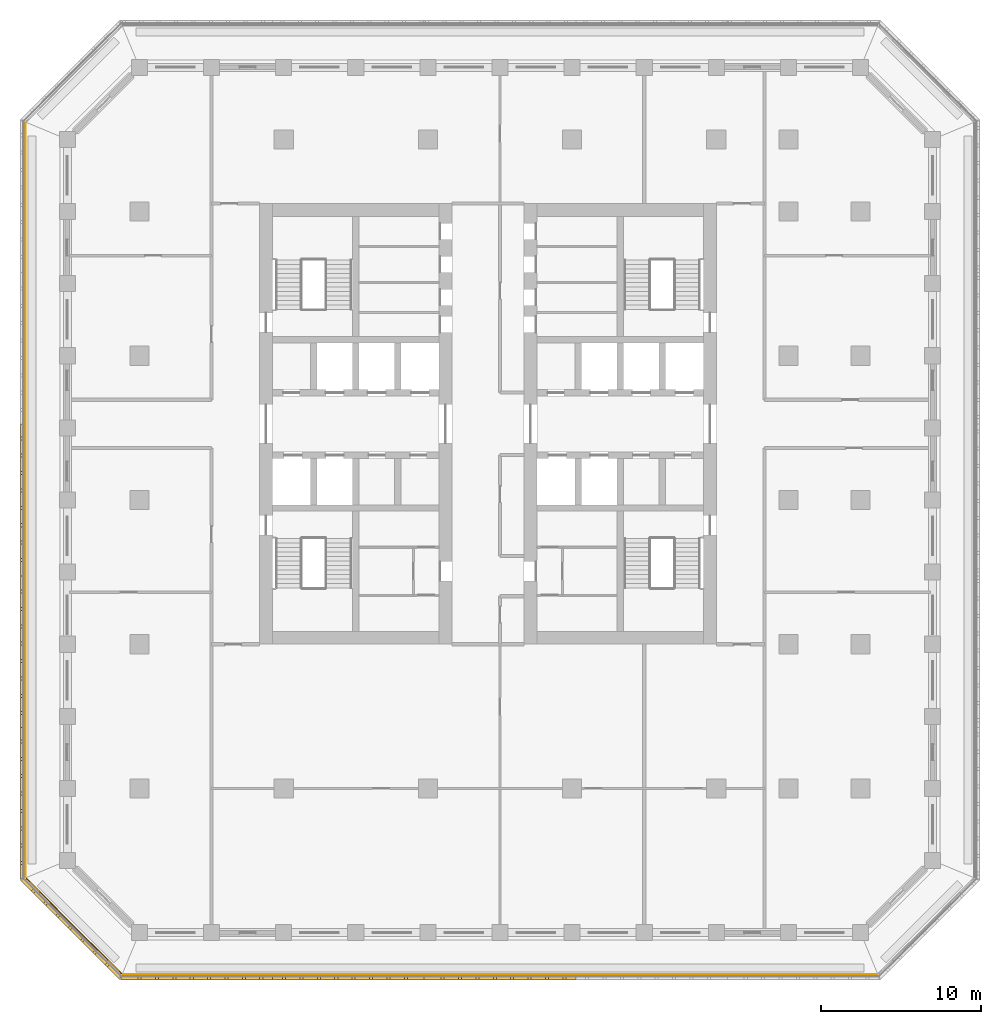
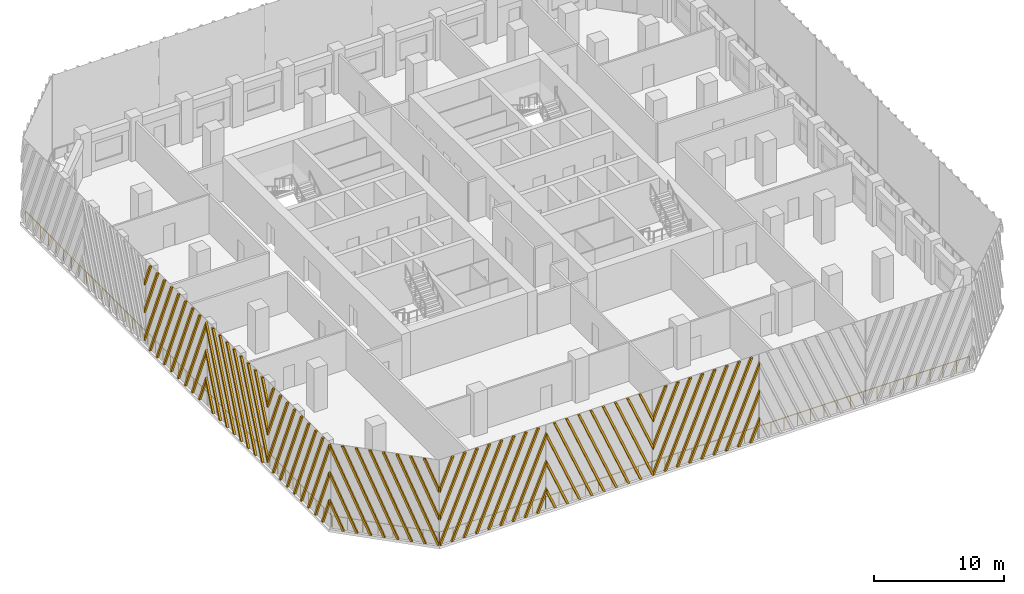
# One storey, part 9 of 16: 7 shading devices, 3 railings.
"""IFC4 building model written with IfcOpenShell, lengths in metres."""

import ifcopenshell
import ifcopenshell.guid

model = None  # the IFC model being written
_history = None  # IfcOwnerHistory: only IFC2X3 demands one
_inside = {}  # id of a spatial element -> (the spatial element, [elements in it])
_under = {}  # id of a project, library or spatial element -> (it, [spatial elements below it])
_declared = {}  # id of a project -> (the project, [libraries it declares])
_typed = {}  # id of a type object -> (the type object, [elements of that type])
_made_of = {}  # id of a material, layer set ... -> (it, [elements and type objects made of it])


def new_model(schema):
    """Start an empty IFC model of exactly this schema.

    Asked for "IFC4X3", IfcOpenShell would pick the latest addendum, in which some entities
    have other attributes; the version numbers below select the first issue.
    IFC2X3 requires an IfcOwnerHistory on every rooted entity: one is made here for all.
    """
    global model, _history
    if schema == "IFC4X3":
        model = ifcopenshell.file(schema_version=(4, 3, 0, 0))
    else:
        model = ifcopenshell.file(schema=schema)
    _inside.clear()
    _under.clear()
    _declared.clear()
    _typed.clear()
    _made_of.clear()
    _history = None
    if model.schema == "IFC2X3":
        org = make("IfcOrganization", Name="unknown")
        user = make(
            "IfcPersonAndOrganization",
            ThePerson=make("IfcPerson", FamilyName="unknown"),
            TheOrganization=org,
        )
        app = make(
            "IfcApplication",
            ApplicationDeveloper=org,
            Version="unknown",
            ApplicationFullName="unknown",
            ApplicationIdentifier="unknown",
        )
        _history = make(
            "IfcOwnerHistory",
            OwningUser=user,
            OwningApplication=app,
            ChangeAction="ADDED",
            CreationDate=0,
        )
    return model


def make(cls, **values):
    """One entity of the class cls with the attributes given. An attribute that is None is left unset."""
    return model.create_entity(
        cls, **{name: value for name, value in values.items() if value is not None}
    )


def rooted(cls, **values):
    """An entity with a GlobalId (a new one), such as an element, a storey or a relation."""
    return make(cls, GlobalId=ifcopenshell.guid.new(), OwnerHistory=_history, **values)


def si_unit(unit_type, name, prefix=None):
    """IfcSIUnit, for example si_unit("LENGTHUNIT", "METRE", prefix="MILLI")."""
    return make("IfcSIUnit", UnitType=unit_type, Prefix=prefix, Name=name)


def assignment(units):
    """IfcUnitAssignment: the units of a project."""
    return None if units is None else make("IfcUnitAssignment", Units=units)


def point(xyz):
    """IfcCartesianPoint."""
    return None if xyz is None else make("IfcCartesianPoint", Coordinates=xyz)


def direction(xyz):
    """IfcDirection."""
    return None if xyz is None else make("IfcDirection", DirectionRatios=xyz)


def frame(location, z_axis=None, x_axis=None):
    """IfcAxis2Placement3D, a coordinate frame: its origin and axes. An axis left out is left unset."""
    return make(
        "IfcAxis2Placement3D",
        Location=point(location),
        Axis=direction(z_axis),
        RefDirection=direction(x_axis),
    )


def frame_2d(location, x_axis=None):
    """IfcAxis2Placement2D, a coordinate frame in the plane: its origin and x axis."""
    return make(
        "IfcAxis2Placement2D", Location=point(location), RefDirection=direction(x_axis)
    )


def origin():
    """The frame at (0, 0, 0) with its axes left unset."""
    return frame((0.0, 0.0, 0.0))


def origin_2d():
    """The frame at (0, 0) in the plane with its x axis left unset."""
    return frame_2d((0.0, 0.0))


def place(relative_to, where):
    """IfcLocalPlacement: puts the frame where relative to a parent placement (None: the world)."""
    return make(
        "IfcLocalPlacement", PlacementRelTo=relative_to, RelativePlacement=where
    )


def context(
    kind, dimensions, precision=None, world=None, true_north=None, identifier=None
):
    """IfcGeometricRepresentationContext, for example the 3D "Model" context."""
    return make(
        "IfcGeometricRepresentationContext",
        ContextIdentifier=identifier,
        ContextType=kind,
        CoordinateSpaceDimension=dimensions,
        Precision=precision,
        WorldCoordinateSystem=world,
        TrueNorth=true_north,
    )


def subcontext(parent, identifier, kind, view, scale=None):
    """IfcGeometricRepresentationSubContext, for example "Body" below "Model"."""
    return make(
        "IfcGeometricRepresentationSubContext",
        ContextIdentifier=identifier,
        ContextType=kind,
        ParentContext=parent,
        TargetScale=scale,
        TargetView=view,
    )


def project(units=None, contexts=None):
    """IfcProject with its units and contexts."""
    return rooted(
        "IfcProject",
        Name="project",
        RepresentationContexts=contexts,
        UnitsInContext=assignment(units),
    )


def spatial(cls, under=None, at=None, **own):
    """A site, building, storey or space (cls), placed at a placement, below another one or the project."""
    s = rooted(cls, ObjectPlacement=at, **own)
    if under is not None:
        _under.setdefault(under.id(), (under, []))[1].append(s)
    return s


def polyline(points):
    """IfcPolyline through the points."""
    return make("IfcPolyline", Points=[point(p) for p in points])


def profile(cls, at=None, kind="AREA", **sizes):
    """A parametric profile (cls). Its sizes go by their IFC names, for example OverallWidth=200.0."""
    return make(cls, ProfileType=kind, Position=at, **sizes)


def circle(**sizes):
    """IfcCircleProfileDef."""
    return profile("IfcCircleProfileDef", **sizes)


def outline(outer, holes=None, kind="AREA"):
    """IfcArbitraryClosedProfileDef: a profile drawn as a closed curve; with holes, ...WithVoids."""
    if holes is None:
        return make("IfcArbitraryClosedProfileDef", ProfileType=kind, OuterCurve=outer)
    return make(
        "IfcArbitraryProfileDefWithVoids",
        ProfileType=kind,
        OuterCurve=outer,
        InnerCurves=holes,
    )


def extrude(swept, where, along, depth):
    """IfcExtrudedAreaSolid: the profile swept, set in the frame where, extruded along a direction by depth."""
    return make(
        "IfcExtrudedAreaSolid",
        SweptArea=swept,
        Position=where,
        ExtrudedDirection=direction(along),
        Depth=depth,
    )


def shape(context_of_items, identifier, shape_type, items):
    """IfcShapeRepresentation: the items that make up one representation, for example the "Body"."""
    return make(
        "IfcShapeRepresentation",
        ContextOfItems=context_of_items,
        RepresentationIdentifier=identifier,
        RepresentationType=shape_type,
        Items=items,
    )


def source(mapping_origin, context_of_items, identifier, shape_type, items):
    """IfcRepresentationMap: a shape defined once, which mapped items show again and again."""
    return make(
        "IfcRepresentationMap",
        MappingOrigin=mapping_origin,
        MappedRepresentation=shape(context_of_items, identifier, shape_type, items),
    )


def transform(
    local_origin,
    x_axis=None,
    y_axis=None,
    z_axis=None,
    scale=None,
    scale2=None,
    scale3=None,
    uniform=True,
):
    """IfcCartesianTransformationOperator3D, or its non-uniform kind. x_axis, y_axis, z_axis: its Axis1, 2, 3."""
    if uniform:
        return make(
            "IfcCartesianTransformationOperator3D",
            Axis1=direction(x_axis),
            Axis2=direction(y_axis),
            LocalOrigin=point(local_origin),
            Scale=scale,
            Axis3=direction(z_axis),
        )
    return make(
        "IfcCartesianTransformationOperator3DnonUniform",
        Axis1=direction(x_axis),
        Axis2=direction(y_axis),
        LocalOrigin=point(local_origin),
        Scale=scale,
        Axis3=direction(z_axis),
        Scale2=scale2,
        Scale3=scale3,
    )


def mapped(mapping_source, mapping_target):
    """IfcMappedItem: shows the shape of a source again, moved by a transform."""
    return make(
        "IfcMappedItem", MappingSource=mapping_source, MappingTarget=mapping_target
    )


def material(Name=None, Category=None):
    """IfcMaterial."""
    return make("IfcMaterial", Name=Name, Category=Category)


def made_of(thing, what):
    """Note that an element or type object is made of a material, layer set ...; save() writes the relation."""
    if what is not None:
        _made_of.setdefault(what.id(), (what, []))[1].append(thing)
    return thing


def type_object(cls, material=None, **own):
    """A type object (cls), such as IfcWallType, which elements share."""
    return made_of(rooted(cls, **own), material)


def element(
    cls,
    number,
    at=None,
    inside=None,
    cuts=None,
    type_object=None,
    material=None,
    context=None,
    identifier="Body",
    shape_type=None,
    held_by="IfcProductDefinitionShape",
    body=None,
    shapes=None,
    **own,
):
    """One element of the class cls, such as IfcWall. Its Tag is "e" and its number.

    at: its placement. inside: the storey or other place that contains it. cuts: it is an
    opening in that element (IfcRelVoidsElement). A single representation is given by context,
    identifier, shape_type and body (its items); several are given by shapes. held_by: the class
    of the entity that holds the representations. save() writes the other relations.
    """
    e = rooted(cls, Tag="e%d" % number, ObjectPlacement=at, **own)
    if body is not None:
        shapes = [shape(context, identifier, shape_type, body)]
    if shapes is not None:
        e.Representation = make(held_by, Representations=shapes)
    if inside is not None:
        _inside.setdefault(inside.id(), (inside, []))[1].append(e)
    if cuts is not None:
        rooted(
            "IfcRelVoidsElement", RelatingBuildingElement=cuts, RelatedOpeningElement=e
        )
    if type_object is not None:
        _typed.setdefault(type_object.id(), (type_object, []))[1].append(e)
    return made_of(e, material)


def aggregate(whole, parts):
    """IfcRelAggregates: a whole, such as a stair, and the parts it consists of."""
    return rooted("IfcRelAggregates", RelatingObject=whole, RelatedObjects=parts)


def save(model, path):
    """Write the relations noted so far, then the file.

    IfcRelAggregates (storeys below a building ...), IfcRelContainedInSpatialStructure (elements
    in a storey), IfcRelDefinesByType, IfcRelAssociatesMaterial and IfcRelDeclares: one each for
    every whole, place, type object, material and project.
    """
    for whole, parts in _under.values():
        aggregate(whole, parts)
    for where, things in _inside.values():
        rooted(
            "IfcRelContainedInSpatialStructure",
            RelatedElements=things,
            RelatingStructure=where,
        )
    for kind, things in _typed.values():
        rooted("IfcRelDefinesByType", RelatedObjects=things, RelatingType=kind)
    for what, things in _made_of.values():
        rooted("IfcRelAssociatesMaterial", RelatedObjects=things, RelatingMaterial=what)
    for by, libraries in _declared.values():
        rooted("IfcRelDeclares", RelatingContext=by, RelatedDefinitions=libraries)
    model.write(path)


model = new_model("IFC4")

# Units and contexts
model_context = context("Model", 3, precision=1e-05, world=origin(), true_north=direction((0.0, 1.0)))
body_context = subcontext(model_context, "Body", "Model", "MODEL_VIEW")
ifc_project = project(units=[si_unit("LENGTHUNIT", "METRE"), si_unit("AREAUNIT", "SQUARE_METRE"), si_unit("VOLUMEUNIT", "CUBIC_METRE"), si_unit("PLANEANGLEUNIT", "RADIAN"), si_unit("MASSUNIT", "GRAM", prefix="KILO")], contexts=[model_context])

# Site, building, storey
site_placement = place(None, origin())
site = spatial("IfcSite", under=ifc_project, at=site_placement, CompositionType="ELEMENT")
building_placement = place(site_placement, origin())
building = spatial("IfcBuilding", under=site, at=building_placement, Name="Corbel Stack Research Tower", CompositionType="ELEMENT")
storey_placement = place(building_placement, frame((0.0, 0.0, 199.699951171875)))
storey = spatial("IfcBuildingStorey", under=building, at=storey_placement, Name="L45", CompositionType="ELEMENT", Elevation=199.699951171875)

# Railings
ifc_material_1 = material(Name="Powder-coated steel guard", Category="steel")
railing_type = type_object("IfcRailingType", Name="Steel and glass guard 1100", PredefinedType="GUARDRAIL", material=ifc_material_1)
railing_1_placement = place(storey_placement, frame((-19.00537109375, -29.60009765625, 0.0)))
element("IfcRailing", 1, at=railing_1_placement, inside=storey, type_object=railing_type, Name="Loggia guard L45 S", PredefinedType="GUARDRAIL", context=body_context, shape_type="SweptSolid", body=[
    extrude(circle(Radius=0.02392578125, at=origin_2d()), frame((0.0, 0.0, 1.076171875), z_axis=(1.0, 0.0, 0.0), x_axis=(0.0, 1.0, 0.0)), (0.0, 0.0, 1.0), 47.0107421875),
    extrude(circle(Radius=0.02099609375, at=origin_2d()), origin(), (0.0, 0.0, 1.0), 1.052001953125),
    extrude(circle(Radius=0.02099609375, at=origin_2d()), frame((1.17529296875, 0.0, 0.0)), (0.0, 0.0, 1.0), 1.052001953125),
    extrude(circle(Radius=0.02099609375, at=origin_2d()), frame((2.3505859375, 0.0, 0.0)), (0.0, 0.0, 1.0), 1.052001953125),
    extrude(circle(Radius=0.02099609375, at=origin_2d()), frame((3.52587890625, 0.0, 0.0)), (0.0, 0.0, 1.0), 1.052001953125),
    extrude(circle(Radius=0.02099609375, at=origin_2d()), frame((4.701171875, 0.0, 0.0)), (0.0, 0.0, 1.0), 1.052001953125),
    extrude(circle(Radius=0.02099609375, at=origin_2d()), frame((5.87646484375, 0.0, 0.0)), (0.0, 0.0, 1.0), 1.052001953125),
    extrude(circle(Radius=0.02099609375, at=origin_2d()), frame((7.051513671875, 0.0, 0.0)), (0.0, 0.0, 1.0), 1.052001953125),
    extrude(circle(Radius=0.02099609375, at=origin_2d()), frame((8.226806640625, 0.0, 0.0)), (0.0, 0.0, 1.0), 1.052001953125),
    extrude(circle(Radius=0.02099609375, at=origin_2d()), frame((9.402099609375, 0.0, 0.0)), (0.0, 0.0, 1.0), 1.052001953125),
    extrude(circle(Radius=0.02099609375, at=origin_2d()), frame((10.577392578125, 0.0, 0.0)), (0.0, 0.0, 1.0), 1.052001953125),
    extrude(circle(Radius=0.02099609375, at=origin_2d()), frame((11.752685546875, 0.0, 0.0)), (0.0, 0.0, 1.0), 1.052001953125),
    extrude(circle(Radius=0.02099609375, at=origin_2d()), frame((12.927978515625, 0.0, 0.0)), (0.0, 0.0, 1.0), 1.052001953125),
    extrude(circle(Radius=0.02099609375, at=origin_2d()), frame((14.103271484375, 0.0, 0.0)), (0.0, 0.0, 1.0), 1.052001953125),
    extrude(circle(Radius=0.02099609375, at=origin_2d()), frame((15.278564453125, 0.0, 0.0)), (0.0, 0.0, 1.0), 1.052001953125),
    extrude(circle(Radius=0.02099609375, at=origin_2d()), frame((16.453857421875, 0.0, 0.0)), (0.0, 0.0, 1.0), 1.052001953125),
    extrude(circle(Radius=0.02099609375, at=origin_2d()), frame((17.62890625, 0.0, 0.0)), (0.0, 0.0, 1.0), 1.052001953125),
    extrude(circle(Radius=0.02099609375, at=origin_2d()), frame((18.80419921875, 0.0, 0.0)), (0.0, 0.0, 1.0), 1.052001953125),
    extrude(circle(Radius=0.02099609375, at=origin_2d()), frame((19.9794921875, 0.0, 0.0)), (0.0, 0.0, 1.0), 1.052001953125),
    extrude(circle(Radius=0.02099609375, at=origin_2d()), frame((21.15478515625, 0.0, 0.0)), (0.0, 0.0, 1.0), 1.052001953125),
    extrude(circle(Radius=0.02099609375, at=origin_2d()), frame((22.330078125, 0.0, 0.0)), (0.0, 0.0, 1.0), 1.052001953125),
    extrude(circle(Radius=0.02099609375, at=origin_2d()), frame((23.50537109375, 0.0, 0.0)), (0.0, 0.0, 1.0), 1.052001953125),
    extrude(circle(Radius=0.02099609375, at=origin_2d()), frame((24.6806640625, 0.0, 0.0)), (0.0, 0.0, 1.0), 1.052001953125),
    extrude(circle(Radius=0.02099609375, at=origin_2d()), frame((25.85595703125, 0.0, 0.0)), (0.0, 0.0, 1.0), 1.052001953125),
    extrude(circle(Radius=0.02099609375, at=origin_2d()), frame((27.03125, 0.0, 0.0)), (0.0, 0.0, 1.0), 1.052001953125),
    extrude(circle(Radius=0.02099609375, at=origin_2d()), frame((28.20654296875, 0.0, 0.0)), (0.0, 0.0, 1.0), 1.052001953125),
    extrude(circle(Radius=0.02099609375, at=origin_2d()), frame((29.3818359375, 0.0, 0.0)), (0.0, 0.0, 1.0), 1.052001953125),
    extrude(circle(Radius=0.02099609375, at=origin_2d()), frame((30.556884765625, 0.0, 0.0)), (0.0, 0.0, 1.0), 1.052001953125),
    extrude(circle(Radius=0.02099609375, at=origin_2d()), frame((31.732177734375, 0.0, 0.0)), (0.0, 0.0, 1.0), 1.052001953125),
    extrude(circle(Radius=0.02099609375, at=origin_2d()), frame((32.907470703125, 0.0, 0.0)), (0.0, 0.0, 1.0), 1.052001953125),
    extrude(circle(Radius=0.02099609375, at=origin_2d()), frame((34.082763671875, 0.0, 0.0)), (0.0, 0.0, 1.0), 1.052001953125),
    extrude(circle(Radius=0.02099609375, at=origin_2d()), frame((35.258056640625, 0.0, 0.0)), (0.0, 0.0, 1.0), 1.052001953125),
    extrude(circle(Radius=0.02099609375, at=origin_2d()), frame((36.433349609375, 0.0, 0.0)), (0.0, 0.0, 1.0), 1.052001953125),
    extrude(circle(Radius=0.02099609375, at=origin_2d()), frame((37.608642578125, 0.0, 0.0)), (0.0, 0.0, 1.0), 1.052001953125),
    extrude(circle(Radius=0.02099609375, at=origin_2d()), frame((38.783935546875, 0.0, 0.0)), (0.0, 0.0, 1.0), 1.052001953125),
    extrude(circle(Radius=0.02099609375, at=origin_2d()), frame((39.959228515625, 0.0, 0.0)), (0.0, 0.0, 1.0), 1.052001953125),
    extrude(circle(Radius=0.02099609375, at=origin_2d()), frame((41.13427734375, 0.0, 0.0)), (0.0, 0.0, 1.0), 1.052001953125),
    extrude(circle(Radius=0.02099609375, at=origin_2d()), frame((42.3095703125, 0.0, 0.0)), (0.0, 0.0, 1.0), 1.052001953125),
    extrude(circle(Radius=0.02099609375, at=origin_2d()), frame((43.48486328125, 0.0, 0.0)), (0.0, 0.0, 1.0), 1.052001953125),
    extrude(circle(Radius=0.02099609375, at=origin_2d()), frame((44.66015625, 0.0, 0.0)), (0.0, 0.0, 1.0), 1.052001953125),
    extrude(circle(Radius=0.02099609375, at=origin_2d()), frame((45.83544921875, 0.0, 0.0)), (0.0, 0.0, 1.0), 1.052001953125),
    extrude(circle(Radius=0.02099609375, at=origin_2d()), frame((47.0107421875, 0.0, 0.0)), (0.0, 0.0, 1.0), 1.052001953125),
])
railing_2_placement = place(storey_placement, frame((-25.10009765625, 23.50537109375, 0.0)))
element("IfcRailing", 2, at=railing_2_placement, inside=storey, type_object=railing_type, Name="Loggia guard L45 W", PredefinedType="GUARDRAIL", context=body_context, shape_type="SweptSolid", body=[
    extrude(circle(Radius=0.02392578125, at=origin_2d()), frame((0.0, 0.0, 1.076171875), z_axis=(0.0, -1.0, 0.0), x_axis=(1.0, 0.0, 0.0)), (0.0, 0.0, 1.0), 47.0107421875),
    extrude(circle(Radius=0.02099609375, at=origin_2d()), origin(), (0.0, 0.0, 1.0), 1.052001953125),
    extrude(circle(Radius=0.02099609375, at=origin_2d()), frame((0.0, -1.17529296875, 0.0)), (0.0, 0.0, 1.0), 1.052001953125),
    extrude(circle(Radius=0.02099609375, at=origin_2d()), frame((0.0, -2.3505859375, 0.0)), (0.0, 0.0, 1.0), 1.052001953125),
    extrude(circle(Radius=0.02099609375, at=origin_2d()), frame((0.0, -3.52587890625, 0.0)), (0.0, 0.0, 1.0), 1.052001953125),
    extrude(circle(Radius=0.02099609375, at=origin_2d()), frame((0.0, -4.701171875, 0.0)), (0.0, 0.0, 1.0), 1.052001953125),
    extrude(circle(Radius=0.02099609375, at=origin_2d()), frame((0.0, -5.87646484375, 0.0)), (0.0, 0.0, 1.0), 1.052001953125),
    extrude(circle(Radius=0.02099609375, at=origin_2d()), frame((0.0, -7.051513671875, 0.0)), (0.0, 0.0, 1.0), 1.052001953125),
    extrude(circle(Radius=0.02099609375, at=origin_2d()), frame((0.0, -8.226806640625, 0.0)), (0.0, 0.0, 1.0), 1.052001953125),
    extrude(circle(Radius=0.02099609375, at=origin_2d()), frame((0.0, -9.402099609375, 0.0)), (0.0, 0.0, 1.0), 1.052001953125),
    extrude(circle(Radius=0.02099609375, at=origin_2d()), frame((0.0, -10.577392578125, 0.0)), (0.0, 0.0, 1.0), 1.052001953125),
    extrude(circle(Radius=0.02099609375, at=origin_2d()), frame((0.0, -11.752685546875, 0.0)), (0.0, 0.0, 1.0), 1.052001953125),
    extrude(circle(Radius=0.02099609375, at=origin_2d()), frame((0.0, -12.927978515625, 0.0)), (0.0, 0.0, 1.0), 1.052001953125),
    extrude(circle(Radius=0.02099609375, at=origin_2d()), frame((0.0, -14.103271484375, 0.0)), (0.0, 0.0, 1.0), 1.052001953125),
    extrude(circle(Radius=0.02099609375, at=origin_2d()), frame((0.0, -15.278564453125, 0.0)), (0.0, 0.0, 1.0), 1.052001953125),
    extrude(circle(Radius=0.02099609375, at=origin_2d()), frame((0.0, -16.453857421875, 0.0)), (0.0, 0.0, 1.0), 1.052001953125),
    extrude(circle(Radius=0.02099609375, at=origin_2d()), frame((0.0, -17.62890625, 0.0)), (0.0, 0.0, 1.0), 1.052001953125),
    extrude(circle(Radius=0.02099609375, at=origin_2d()), frame((0.0, -18.80419921875, 0.0)), (0.0, 0.0, 1.0), 1.052001953125),
    extrude(circle(Radius=0.02099609375, at=origin_2d()), frame((0.0, -19.9794921875, 0.0)), (0.0, 0.0, 1.0), 1.052001953125),
    extrude(circle(Radius=0.02099609375, at=origin_2d()), frame((0.0, -21.15478515625, 0.0)), (0.0, 0.0, 1.0), 1.052001953125),
    extrude(circle(Radius=0.02099609375, at=origin_2d()), frame((0.0, -22.330078125, 0.0)), (0.0, 0.0, 1.0), 1.052001953125),
    extrude(circle(Radius=0.02099609375, at=origin_2d()), frame((0.0, -23.50537109375, 0.0)), (0.0, 0.0, 1.0), 1.052001953125),
    extrude(circle(Radius=0.02099609375, at=origin_2d()), frame((0.0, -24.6806640625, 0.0)), (0.0, 0.0, 1.0), 1.052001953125),
    extrude(circle(Radius=0.02099609375, at=origin_2d()), frame((0.0, -25.85595703125, 0.0)), (0.0, 0.0, 1.0), 1.052001953125),
    extrude(circle(Radius=0.02099609375, at=origin_2d()), frame((0.0, -27.03125, 0.0)), (0.0, 0.0, 1.0), 1.052001953125),
    extrude(circle(Radius=0.02099609375, at=origin_2d()), frame((0.0, -28.20654296875, 0.0)), (0.0, 0.0, 1.0), 1.052001953125),
    extrude(circle(Radius=0.02099609375, at=origin_2d()), frame((0.0, -29.3818359375, 0.0)), (0.0, 0.0, 1.0), 1.052001953125),
    extrude(circle(Radius=0.02099609375, at=origin_2d()), frame((0.0, -30.556884765625, 0.0)), (0.0, 0.0, 1.0), 1.052001953125),
    extrude(circle(Radius=0.02099609375, at=origin_2d()), frame((0.0, -31.732177734375, 0.0)), (0.0, 0.0, 1.0), 1.052001953125),
    extrude(circle(Radius=0.02099609375, at=origin_2d()), frame((0.0, -32.907470703125, 0.0)), (0.0, 0.0, 1.0), 1.052001953125),
    extrude(circle(Radius=0.02099609375, at=origin_2d()), frame((0.0, -34.082763671875, 0.0)), (0.0, 0.0, 1.0), 1.052001953125),
    extrude(circle(Radius=0.02099609375, at=origin_2d()), frame((0.0, -35.258056640625, 0.0)), (0.0, 0.0, 1.0), 1.052001953125),
    extrude(circle(Radius=0.02099609375, at=origin_2d()), frame((0.0, -36.433349609375, 0.0)), (0.0, 0.0, 1.0), 1.052001953125),
    extrude(circle(Radius=0.02099609375, at=origin_2d()), frame((0.0, -37.608642578125, 0.0)), (0.0, 0.0, 1.0), 1.052001953125),
    extrude(circle(Radius=0.02099609375, at=origin_2d()), frame((0.0, -38.783935546875, 0.0)), (0.0, 0.0, 1.0), 1.052001953125),
    extrude(circle(Radius=0.02099609375, at=origin_2d()), frame((0.0, -39.959228515625, 0.0)), (0.0, 0.0, 1.0), 1.052001953125),
    extrude(circle(Radius=0.02099609375, at=origin_2d()), frame((0.0, -41.13427734375, 0.0)), (0.0, 0.0, 1.0), 1.052001953125),
    extrude(circle(Radius=0.02099609375, at=origin_2d()), frame((0.0, -42.3095703125, 0.0)), (0.0, 0.0, 1.0), 1.052001953125),
    extrude(circle(Radius=0.02099609375, at=origin_2d()), frame((0.0, -43.48486328125, 0.0)), (0.0, 0.0, 1.0), 1.052001953125),
    extrude(circle(Radius=0.02099609375, at=origin_2d()), frame((0.0, -44.66015625, 0.0)), (0.0, 0.0, 1.0), 1.052001953125),
    extrude(circle(Radius=0.02099609375, at=origin_2d()), frame((0.0, -45.83544921875, 0.0)), (0.0, 0.0, 1.0), 1.052001953125),
    extrude(circle(Radius=0.02099609375, at=origin_2d()), frame((0.0, -47.0107421875, 0.0)), (0.0, 0.0, 1.0), 1.052001953125),
])
railing_3_placement = place(storey_placement, frame((-25.04931640625, -23.627685546875, 0.0)))
element("IfcRailing", 3, at=railing_3_placement, inside=storey, type_object=railing_type, Name="Loggia guard L45 SW", PredefinedType="GUARDRAIL", context=body_context, shape_type="SweptSolid", body=[
    extrude(circle(Radius=0.02392578125, at=origin_2d()), frame((0.0, 0.0, 1.076171875), z_axis=(0.707106781187, -0.707106781187, 0.0), x_axis=(0.707106781187, 0.707106781187, 0.0)), (0.0, 0.0, 1.0), 8.37451171875),
    extrude(circle(Radius=0.02099609375, at=origin_2d()), origin(), (0.0, 0.0, 1.0), 1.052001953125),
    extrude(circle(Radius=0.02099609375, at=origin_2d()), frame((0.845947265625, -0.845947265625, 0.0)), (0.0, 0.0, 1.0), 1.052001953125),
    extrude(circle(Radius=0.02099609375, at=origin_2d()), frame((1.69189453125, -1.69189453125, 0.0)), (0.0, 0.0, 1.0), 1.052001953125),
    extrude(circle(Radius=0.02099609375, at=origin_2d()), frame((2.537841796875, -2.537841796875, 0.0)), (0.0, 0.0, 1.0), 1.052001953125),
    extrude(circle(Radius=0.02099609375, at=origin_2d()), frame((3.3837890625, -3.3837890625, 0.0)), (0.0, 0.0, 1.0), 1.052001953125),
    extrude(circle(Radius=0.02099609375, at=origin_2d()), frame((4.229736328125, -4.229736328125, 0.0)), (0.0, 0.0, 1.0), 1.052001953125),
    extrude(circle(Radius=0.02099609375, at=origin_2d()), frame((5.07568359375, -5.07568359375, 0.0)), (0.0, 0.0, 1.0), 1.052001953125),
    extrude(circle(Radius=0.02099609375, at=origin_2d()), frame((5.921630859375, -5.921630859375, 0.0)), (0.0, 0.0, 1.0), 1.052001953125),
])

# Shading devices
ifc_material_2 = material(Name="Precast terracotta", Category="masonry")
shading_device_type = type_object("IfcShadingDeviceType", Name="Terracotta screen panel", PredefinedType="USERDEFINED", material=ifc_material_2)
shared_shape_1 = source(origin(), body_context, "Body", "SweptSolid", [
    extrude(outline(polyline([(1.245849609375, 7.949951171875), (1.055908203125, 7.949951171875), (0.0, 5.421875), (0.0, 4.966796875), (1.245849609375, 7.949951171875)])), frame((0.0, 0.0, 0.0), z_axis=(0.0, -1.0, 0.0), x_axis=(1.0, 0.0, 0.0)), (0.0, 0.0, 1.0), 0.179931640625),
    extrude(outline(polyline([(2.33056640625, 7.949951171875), (2.140380859375, 7.949951171875), (0.0, 2.82470703125), (0.0, 2.36962890625), (2.33056640625, 7.949951171875)])), frame((0.0, 0.0, 0.0), z_axis=(0.0, -1.0, 0.0), x_axis=(1.0, 0.0, 0.0)), (0.0, 0.0, 1.0), 0.179931640625),
    extrude(outline(polyline([(0.094970703125, 0.0), (3.415283203125, 7.949951171875), (3.22509765625, 7.949951171875), (0.0, 0.2275390625), (0.0, 0.0), (0.094970703125, 0.0)])), frame((0.0, 0.0, 0.0), z_axis=(0.0, -1.0, 0.0), x_axis=(1.0, 0.0, 0.0)), (0.0, 0.0, 1.0), 0.179931640625),
    extrude(outline(polyline([(1.1796875, 0.0), (4.499755859375, 7.949951171875), (4.309814453125, 7.949951171875), (0.98974609375, 0.0), (1.1796875, 0.0)])), frame((0.0, 0.0, 0.0), z_axis=(0.0, -1.0, 0.0), x_axis=(1.0, 0.0, 0.0)), (0.0, 0.0, 1.0), 0.179931640625),
    extrude(outline(polyline([(2.264404296875, 0.0), (5.58447265625, 7.949951171875), (5.39453125, 7.949951171875), (2.07421875, 0.0), (2.264404296875, 0.0)])), frame((0.0, 0.0, 0.0), z_axis=(0.0, -1.0, 0.0), x_axis=(1.0, 0.0, 0.0)), (0.0, 0.0, 1.0), 0.179931640625),
    extrude(outline(polyline([(3.34912109375, 0.0), (6.669189453125, 7.949951171875), (6.479248046875, 7.949951171875), (3.158935546875, 0.0), (3.34912109375, 0.0)])), frame((0.0, 0.0, 0.0), z_axis=(0.0, -1.0, 0.0), x_axis=(1.0, 0.0, 0.0)), (0.0, 0.0, 1.0), 0.179931640625),
    extrude(outline(polyline([(4.43359375, 0.0), (7.75390625, 7.949951171875), (7.563720703125, 7.949951171875), (4.24365234375, 0.0), (4.43359375, 0.0)])), frame((0.0, 0.0, 0.0), z_axis=(0.0, -1.0, 0.0), x_axis=(1.0, 0.0, 0.0)), (0.0, 0.0, 1.0), 0.179931640625),
    extrude(outline(polyline([(5.518310546875, 0.0), (8.83837890625, 7.949951171875), (8.6484375, 7.949951171875), (5.328369140625, 0.0), (5.518310546875, 0.0)])), frame((0.0, 0.0, 0.0), z_axis=(0.0, -1.0, 0.0), x_axis=(1.0, 0.0, 0.0)), (0.0, 0.0, 1.0), 0.179931640625),
    extrude(outline(polyline([(6.60302734375, 0.0), (9.45556640625, 6.83056640625), (9.45556640625, 7.285400390625), (6.4130859375, 0.0), (6.60302734375, 0.0)])), frame((0.0, 0.0, 0.0), z_axis=(0.0, -1.0, 0.0), x_axis=(1.0, 0.0, 0.0)), (0.0, 0.0, 1.0), 0.179931640625),
    extrude(outline(polyline([(7.687744140625, 0.0), (9.45556640625, 4.2333984375), (9.45556640625, 4.688232421875), (7.497802734375, 0.0), (7.687744140625, 0.0)])), frame((0.0, 0.0, 0.0), z_axis=(0.0, -1.0, 0.0), x_axis=(1.0, 0.0, 0.0)), (0.0, 0.0, 1.0), 0.179931640625),
    extrude(outline(polyline([(8.772216796875, 0.0), (9.45556640625, 1.635986328125), (9.45556640625, 2.091064453125), (8.582275390625, 0.0), (8.772216796875, 0.0)])), frame((0.0, 0.0, 0.0), z_axis=(0.0, -1.0, 0.0), x_axis=(1.0, 0.0, 0.0)), (0.0, 0.0, 1.0), 0.179931640625),
])
for number, where, z_axis, x_axis, name in (
    (4, (-19.13916015625, -29.75, 0.0), (0.0, 0.0, 1.0), (1.0, 0.0, 0.0), "Terracotta screen L45 S1"),
    (5, (-0.227783203125, -29.75, 0.0), (0.0, 0.0, 1.0), (1.0, 0.0, 0.0), "Terracotta screen L45 S3"),
):
    element("IfcShadingDevice", number, at=place(storey_placement, frame(where, z_axis=z_axis, x_axis=x_axis)), inside=storey, type_object=shading_device_type, Name=name, ObjectType="SCREEN", PredefinedType="USERDEFINED", context=body_context, shape_type="MappedRepresentation", body=[
        mapped(shared_shape_1, transform((0.0, 0.0, 0.0))),
    ])
shared_shape_2 = source(origin(), body_context, "Body", "SweptSolid", [
    extrude(outline(polyline([(0.873291015625, 0.0), (0.0, 2.091064453125), (0.0, 1.635986328125), (0.683349609375, 0.0), (0.873291015625, 0.0)])), frame((0.0, 0.0, 0.0), z_axis=(0.0, -1.0, 0.0), x_axis=(1.0, 0.0, 0.0)), (0.0, 0.0, 1.0), 0.179931640625),
    extrude(outline(polyline([(1.9580078125, 0.0), (0.0, 4.688232421875), (0.0, 4.2333984375), (1.76806640625, 0.0), (1.9580078125, 0.0)])), frame((0.0, 0.0, 0.0), z_axis=(0.0, -1.0, 0.0), x_axis=(1.0, 0.0, 0.0)), (0.0, 0.0, 1.0), 0.179931640625),
    extrude(outline(polyline([(3.04248046875, 0.0), (0.0, 7.285400390625), (0.0, 6.83056640625), (2.8525390625, 0.0), (3.04248046875, 0.0)])), frame((0.0, 0.0, 0.0), z_axis=(0.0, -1.0, 0.0), x_axis=(1.0, 0.0, 0.0)), (0.0, 0.0, 1.0), 0.179931640625),
    extrude(outline(polyline([(4.127197265625, 0.0), (0.80712890625, 7.949951171875), (0.6171875, 7.949951171875), (3.937255859375, 0.0), (4.127197265625, 0.0)])), frame((0.0, 0.0, 0.0), z_axis=(0.0, -1.0, 0.0), x_axis=(1.0, 0.0, 0.0)), (0.0, 0.0, 1.0), 0.179931640625),
    extrude(outline(polyline([(5.2119140625, 0.0), (1.891845703125, 7.949951171875), (1.701904296875, 7.949951171875), (5.02197265625, 0.0), (5.2119140625, 0.0)])), frame((0.0, 0.0, 0.0), z_axis=(0.0, -1.0, 0.0), x_axis=(1.0, 0.0, 0.0)), (0.0, 0.0, 1.0), 0.179931640625),
    extrude(outline(polyline([(6.296630859375, 0.0), (2.9765625, 7.949951171875), (2.78662109375, 7.949951171875), (6.106689453125, 0.0), (6.296630859375, 0.0)])), frame((0.0, 0.0, 0.0), z_axis=(0.0, -1.0, 0.0), x_axis=(1.0, 0.0, 0.0)), (0.0, 0.0, 1.0), 0.179931640625),
    extrude(outline(polyline([(7.38134765625, 0.0), (4.06103515625, 7.949951171875), (3.87109375, 7.949951171875), (7.19140625, 0.0), (7.38134765625, 0.0)])), frame((0.0, 0.0, 0.0), z_axis=(0.0, -1.0, 0.0), x_axis=(1.0, 0.0, 0.0)), (0.0, 0.0, 1.0), 0.179931640625),
    extrude(outline(polyline([(8.466064453125, 0.0), (5.145751953125, 7.949951171875), (4.955810546875, 7.949951171875), (8.27587890625, 0.0), (8.466064453125, 0.0)])), frame((0.0, 0.0, 0.0), z_axis=(0.0, -1.0, 0.0), x_axis=(1.0, 0.0, 0.0)), (0.0, 0.0, 1.0), 0.179931640625),
    extrude(outline(polyline([(9.45556640625, 0.0), (9.45556640625, 0.2275390625), (6.23046875, 7.949951171875), (6.04052734375, 7.949951171875), (9.360595703125, 0.0), (9.45556640625, 0.0)])), frame((0.0, 0.0, 0.0), z_axis=(0.0, -1.0, 0.0), x_axis=(1.0, 0.0, 0.0)), (0.0, 0.0, 1.0), 0.179931640625),
    extrude(outline(polyline([(7.315185546875, 7.949951171875), (7.125, 7.949951171875), (9.45556640625, 2.36962890625), (9.45556640625, 2.82470703125), (7.315185546875, 7.949951171875)])), frame((0.0, 0.0, 0.0), z_axis=(0.0, -1.0, 0.0), x_axis=(1.0, 0.0, 0.0)), (0.0, 0.0, 1.0), 0.179931640625),
    extrude(outline(polyline([(8.39990234375, 7.949951171875), (8.209716796875, 7.949951171875), (9.45556640625, 4.966796875), (9.45556640625, 5.421875), (8.39990234375, 7.949951171875)])), frame((0.0, 0.0, 0.0), z_axis=(0.0, -1.0, 0.0), x_axis=(1.0, 0.0, 0.0)), (0.0, 0.0, 1.0), 0.179931640625),
])
shading_device_1_placement = place(storey_placement, frame((-9.68359375, -29.75, 0.0), z_axis=(0.0, 0.0, 1.0), x_axis=(1.0, 0.0, 0.0)))
element("IfcShadingDevice", 6, at=shading_device_1_placement, inside=storey, type_object=shading_device_type, Name="Terracotta screen L45 S2", ObjectType="SCREEN", PredefinedType="USERDEFINED", context=body_context, shape_type="MappedRepresentation", body=[
    mapped(shared_shape_2, transform((0.0, 0.0, 0.0))),
])
shared_shape_3 = source(origin(), body_context, "Body", "SweptSolid", [
    extrude(outline(polyline([(0.974609375, 7.949951171875), (0.78466796875, 7.949951171875), (0.0, 6.071044921875), (0.0, 5.6162109375), (0.974609375, 7.949951171875)])), frame((0.0, 0.0, 0.0), z_axis=(0.0, -1.0, 0.0), x_axis=(1.0, 0.0, 0.0)), (0.0, 0.0, 1.0), 0.179931640625),
    extrude(outline(polyline([(2.059326171875, 7.949951171875), (1.869384765625, 7.949951171875), (0.0, 3.473876953125), (0.0, 3.01904296875), (2.059326171875, 7.949951171875)])), frame((0.0, 0.0, 0.0), z_axis=(0.0, -1.0, 0.0), x_axis=(1.0, 0.0, 0.0)), (0.0, 0.0, 1.0), 0.179931640625),
    extrude(outline(polyline([(3.14404296875, 7.949951171875), (2.9541015625, 7.949951171875), (0.0, 0.876708984375), (0.0, 0.421875), (3.14404296875, 7.949951171875)])), frame((0.0, 0.0, 0.0), z_axis=(0.0, -1.0, 0.0), x_axis=(1.0, 0.0, 0.0)), (0.0, 0.0, 1.0), 0.179931640625),
    extrude(outline(polyline([(0.908447265625, 0.0), (4.228759765625, 7.949951171875), (4.038818359375, 7.949951171875), (0.718505859375, 0.0), (0.908447265625, 0.0)])), frame((0.0, 0.0, 0.0), z_axis=(0.0, -1.0, 0.0), x_axis=(1.0, 0.0, 0.0)), (0.0, 0.0, 1.0), 0.179931640625),
    extrude(outline(polyline([(1.9931640625, 0.0), (5.313232421875, 7.949951171875), (5.123291015625, 7.949951171875), (1.80322265625, 0.0), (1.9931640625, 0.0)])), frame((0.0, 0.0, 0.0), z_axis=(0.0, -1.0, 0.0), x_axis=(1.0, 0.0, 0.0)), (0.0, 0.0, 1.0), 0.179931640625),
    extrude(outline(polyline([(3.077880859375, 0.0), (6.39794921875, 7.949951171875), (6.2080078125, 7.949951171875), (2.8876953125, 0.0), (3.077880859375, 0.0)])), frame((0.0, 0.0, 0.0), z_axis=(0.0, -1.0, 0.0), x_axis=(1.0, 0.0, 0.0)), (0.0, 0.0, 1.0), 0.179931640625),
    extrude(outline(polyline([(4.16259765625, 0.0), (7.482666015625, 7.949951171875), (7.292724609375, 7.949951171875), (3.972412109375, 0.0), (4.16259765625, 0.0)])), frame((0.0, 0.0, 0.0), z_axis=(0.0, -1.0, 0.0), x_axis=(1.0, 0.0, 0.0)), (0.0, 0.0, 1.0), 0.179931640625),
    extrude(outline(polyline([(5.247314453125, 0.0), (8.5673828125, 7.949951171875), (8.377197265625, 7.949951171875), (5.05712890625, 0.0), (5.247314453125, 0.0)])), frame((0.0, 0.0, 0.0), z_axis=(0.0, -1.0, 0.0), x_axis=(1.0, 0.0, 0.0)), (0.0, 0.0, 1.0), 0.179931640625),
    extrude(outline(polyline([(6.331787109375, 0.0), (9.45556640625, 7.479736328125), (9.45556640625, 7.934814453125), (6.141845703125, 0.0), (6.331787109375, 0.0)])), frame((0.0, 0.0, 0.0), z_axis=(0.0, -1.0, 0.0), x_axis=(1.0, 0.0, 0.0)), (0.0, 0.0, 1.0), 0.179931640625),
    extrude(outline(polyline([(7.41650390625, 0.0), (9.45556640625, 4.882568359375), (9.45556640625, 5.337646484375), (7.2265625, 0.0), (7.41650390625, 0.0)])), frame((0.0, 0.0, 0.0), z_axis=(0.0, -1.0, 0.0), x_axis=(1.0, 0.0, 0.0)), (0.0, 0.0, 1.0), 0.179931640625),
    extrude(outline(polyline([(8.501220703125, 0.0), (9.45556640625, 2.285400390625), (9.45556640625, 2.740478515625), (8.311279296875, 0.0), (8.501220703125, 0.0)])), frame((0.0, 0.0, 0.0), z_axis=(0.0, -1.0, 0.0), x_axis=(1.0, 0.0, 0.0)), (0.0, 0.0, 1.0), 0.179931640625),
])
for number, where, z_axis, x_axis, name in (
    (7, (-25.25, 4.727783203125, 0.0), (0.0, 0.0, 1.0), (0.0, -1.0, 0.0), "Terracotta screen L45 W3"),
    (8, (-25.25, -14.18359375, 0.0), (0.0, 0.0, 1.0), (0.0, -1.0, 0.0), "Terracotta screen L45 W5"),
):
    element("IfcShadingDevice", number, at=place(storey_placement, frame(where, z_axis=z_axis, x_axis=x_axis)), inside=storey, type_object=shading_device_type, Name=name, ObjectType="SCREEN", PredefinedType="USERDEFINED", context=body_context, shape_type="MappedRepresentation", body=[
        mapped(shared_shape_3, transform((0.0, 0.0, 0.0))),
    ])
shared_shape_4 = source(origin(), body_context, "Body", "SweptSolid", [
    extrude(outline(polyline([(1.14453125, 0.0), (0.0, 2.740478515625), (0.0, 2.285400390625), (0.95458984375, 0.0), (1.14453125, 0.0)])), frame((0.0, 0.0, 0.0), z_axis=(0.0, -1.0, 0.0), x_axis=(1.0, 0.0, 0.0)), (0.0, 0.0, 1.0), 0.179931640625),
    extrude(outline(polyline([(2.22900390625, 0.0), (0.0, 5.337646484375), (0.0, 4.882568359375), (2.0390625, 0.0), (2.22900390625, 0.0)])), frame((0.0, 0.0, 0.0), z_axis=(0.0, -1.0, 0.0), x_axis=(1.0, 0.0, 0.0)), (0.0, 0.0, 1.0), 0.179931640625),
    extrude(outline(polyline([(3.313720703125, 0.0), (0.0, 7.934814453125), (0.0, 7.479736328125), (3.123779296875, 0.0), (3.313720703125, 0.0)])), frame((0.0, 0.0, 0.0), z_axis=(0.0, -1.0, 0.0), x_axis=(1.0, 0.0, 0.0)), (0.0, 0.0, 1.0), 0.179931640625),
    extrude(outline(polyline([(4.3984375, 0.0), (1.078369140625, 7.949951171875), (0.88818359375, 7.949951171875), (4.20849609375, 0.0), (4.3984375, 0.0)])), frame((0.0, 0.0, 0.0), z_axis=(0.0, -1.0, 0.0), x_axis=(1.0, 0.0, 0.0)), (0.0, 0.0, 1.0), 0.179931640625),
    extrude(outline(polyline([(5.483154296875, 0.0), (2.1630859375, 7.949951171875), (1.972900390625, 7.949951171875), (5.293212890625, 0.0), (5.483154296875, 0.0)])), frame((0.0, 0.0, 0.0), z_axis=(0.0, -1.0, 0.0), x_axis=(1.0, 0.0, 0.0)), (0.0, 0.0, 1.0), 0.179931640625),
    extrude(outline(polyline([(6.56787109375, 0.0), (3.24755859375, 7.949951171875), (3.0576171875, 7.949951171875), (6.377685546875, 0.0), (6.56787109375, 0.0)])), frame((0.0, 0.0, 0.0), z_axis=(0.0, -1.0, 0.0), x_axis=(1.0, 0.0, 0.0)), (0.0, 0.0, 1.0), 0.179931640625),
    extrude(outline(polyline([(7.652587890625, 0.0), (4.332275390625, 7.949951171875), (4.142333984375, 7.949951171875), (7.46240234375, 0.0), (7.652587890625, 0.0)])), frame((0.0, 0.0, 0.0), z_axis=(0.0, -1.0, 0.0), x_axis=(1.0, 0.0, 0.0)), (0.0, 0.0, 1.0), 0.179931640625),
    extrude(outline(polyline([(8.737060546875, 0.0), (5.4169921875, 7.949951171875), (5.22705078125, 7.949951171875), (8.547119140625, 0.0), (8.737060546875, 0.0)])), frame((0.0, 0.0, 0.0), z_axis=(0.0, -1.0, 0.0), x_axis=(1.0, 0.0, 0.0)), (0.0, 0.0, 1.0), 0.179931640625),
    extrude(outline(polyline([(6.501708984375, 7.949951171875), (6.3115234375, 7.949951171875), (9.45556640625, 0.421875), (9.45556640625, 0.876708984375), (6.501708984375, 7.949951171875)])), frame((0.0, 0.0, 0.0), z_axis=(0.0, -1.0, 0.0), x_axis=(1.0, 0.0, 0.0)), (0.0, 0.0, 1.0), 0.179931640625),
    extrude(outline(polyline([(7.586181640625, 7.949951171875), (7.396240234375, 7.949951171875), (9.45556640625, 3.01904296875), (9.45556640625, 3.473876953125), (7.586181640625, 7.949951171875)])), frame((0.0, 0.0, 0.0), z_axis=(0.0, -1.0, 0.0), x_axis=(1.0, 0.0, 0.0)), (0.0, 0.0, 1.0), 0.179931640625),
    extrude(outline(polyline([(8.6708984375, 7.949951171875), (8.48095703125, 7.949951171875), (9.45556640625, 5.6162109375), (9.45556640625, 6.071044921875), (8.6708984375, 7.949951171875)])), frame((0.0, 0.0, 0.0), z_axis=(0.0, -1.0, 0.0), x_axis=(1.0, 0.0, 0.0)), (0.0, 0.0, 1.0), 0.179931640625),
])
shading_device_2_placement = place(storey_placement, frame((-25.25, -4.727783203125, 0.0), z_axis=(0.0, 0.0, 1.0), x_axis=(0.0, -1.0, 0.0)))
element("IfcShadingDevice", 9, at=shading_device_2_placement, inside=storey, type_object=shading_device_type, Name="Terracotta screen L45 W4", ObjectType="SCREEN", PredefinedType="USERDEFINED", context=body_context, shape_type="MappedRepresentation", body=[
    mapped(shared_shape_4, transform((0.0, 0.0, 0.0))),
])
shared_shape_5 = source(origin(), body_context, "Body", "SweptSolid", [
    extrude(outline(polyline([(1.14453125, 0.0), (0.0, 2.740478515625), (0.0, 2.285400390625), (0.95458984375, 0.0), (1.14453125, 0.0)])), frame((0.0, 0.0, 0.0), z_axis=(0.0, -1.0, 0.0), x_axis=(1.0, 0.0, 0.0)), (0.0, 0.0, 1.0), 0.179931640625),
    extrude(outline(polyline([(2.22900390625, 0.0), (0.0, 5.337646484375), (0.0, 4.882568359375), (2.0390625, 0.0), (2.22900390625, 0.0)])), frame((0.0, 0.0, 0.0), z_axis=(0.0, -1.0, 0.0), x_axis=(1.0, 0.0, 0.0)), (0.0, 0.0, 1.0), 0.179931640625),
    extrude(outline(polyline([(3.313720703125, 0.0), (0.0, 7.934814453125), (0.0, 7.479736328125), (3.123779296875, 0.0), (3.313720703125, 0.0)])), frame((0.0, 0.0, 0.0), z_axis=(0.0, -1.0, 0.0), x_axis=(1.0, 0.0, 0.0)), (0.0, 0.0, 1.0), 0.179931640625),
    extrude(outline(polyline([(4.3984375, 0.0), (1.078369140625, 7.949951171875), (0.88818359375, 7.949951171875), (4.20849609375, 0.0), (4.3984375, 0.0)])), frame((0.0, 0.0, 0.0), z_axis=(0.0, -1.0, 0.0), x_axis=(1.0, 0.0, 0.0)), (0.0, 0.0, 1.0), 0.179931640625),
    extrude(outline(polyline([(5.483154296875, 0.0), (2.1630859375, 7.949951171875), (1.972900390625, 7.949951171875), (5.293212890625, 0.0), (5.483154296875, 0.0)])), frame((0.0, 0.0, 0.0), z_axis=(0.0, -1.0, 0.0), x_axis=(1.0, 0.0, 0.0)), (0.0, 0.0, 1.0), 0.179931640625),
    extrude(outline(polyline([(6.56787109375, 0.0), (3.24755859375, 7.949951171875), (3.0576171875, 7.949951171875), (6.377685546875, 0.0), (6.56787109375, 0.0)])), frame((0.0, 0.0, 0.0), z_axis=(0.0, -1.0, 0.0), x_axis=(1.0, 0.0, 0.0)), (0.0, 0.0, 1.0), 0.179931640625),
    extrude(outline(polyline([(7.652587890625, 0.0), (4.332275390625, 7.949951171875), (4.142333984375, 7.949951171875), (7.46240234375, 0.0), (7.652587890625, 0.0)])), frame((0.0, 0.0, 0.0), z_axis=(0.0, -1.0, 0.0), x_axis=(1.0, 0.0, 0.0)), (0.0, 0.0, 1.0), 0.179931640625),
    extrude(outline(polyline([(8.64208984375, 0.0), (8.64208984375, 0.2275390625), (5.4169921875, 7.949951171875), (5.22705078125, 7.949951171875), (8.547119140625, 0.0), (8.64208984375, 0.0)])), frame((0.0, 0.0, 0.0), z_axis=(0.0, -1.0, 0.0), x_axis=(1.0, 0.0, 0.0)), (0.0, 0.0, 1.0), 0.179931640625),
    extrude(outline(polyline([(6.501708984375, 7.949951171875), (6.3115234375, 7.949951171875), (8.64208984375, 2.36962890625), (8.64208984375, 2.82470703125), (6.501708984375, 7.949951171875)])), frame((0.0, 0.0, 0.0), z_axis=(0.0, -1.0, 0.0), x_axis=(1.0, 0.0, 0.0)), (0.0, 0.0, 1.0), 0.179931640625),
    extrude(outline(polyline([(7.586181640625, 7.949951171875), (7.396240234375, 7.949951171875), (8.64208984375, 4.966796875), (8.64208984375, 5.421875), (7.586181640625, 7.949951171875)])), frame((0.0, 0.0, 0.0), z_axis=(0.0, -1.0, 0.0), x_axis=(1.0, 0.0, 0.0)), (0.0, 0.0, 1.0), 0.179931640625),
])
shading_device_3_placement = place(storey_placement, frame((-25.25, -23.63916015625, 0.0), z_axis=(0.0, 0.0, 1.0), x_axis=(0.707106781187, -0.707106781187, 0.0)))
element("IfcShadingDevice", 10, at=shading_device_3_placement, inside=storey, type_object=shading_device_type, Name="Terracotta screen L45 SW1", ObjectType="SCREEN", PredefinedType="USERDEFINED", context=body_context, shape_type="MappedRepresentation", body=[
    mapped(shared_shape_5, transform((0.0, 0.0, 0.0))),
])

save(model, "model.ifc")
